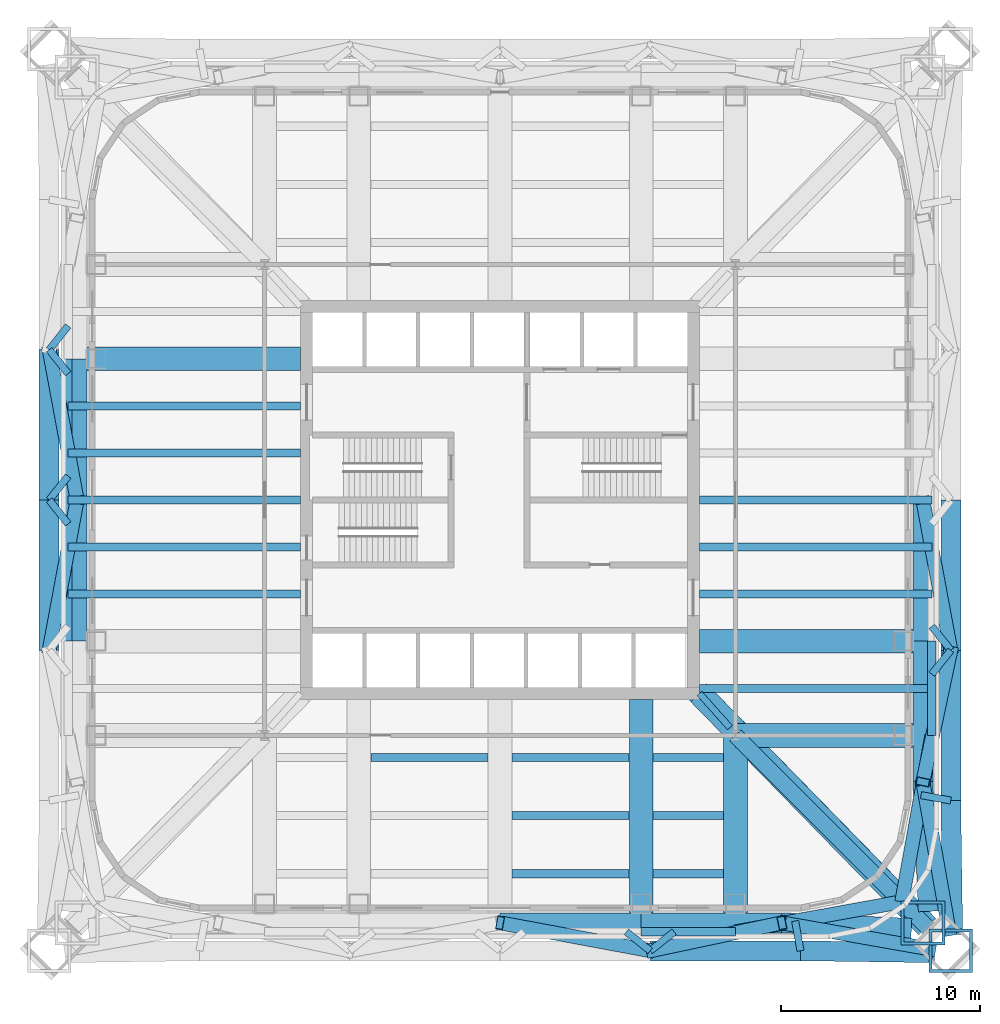
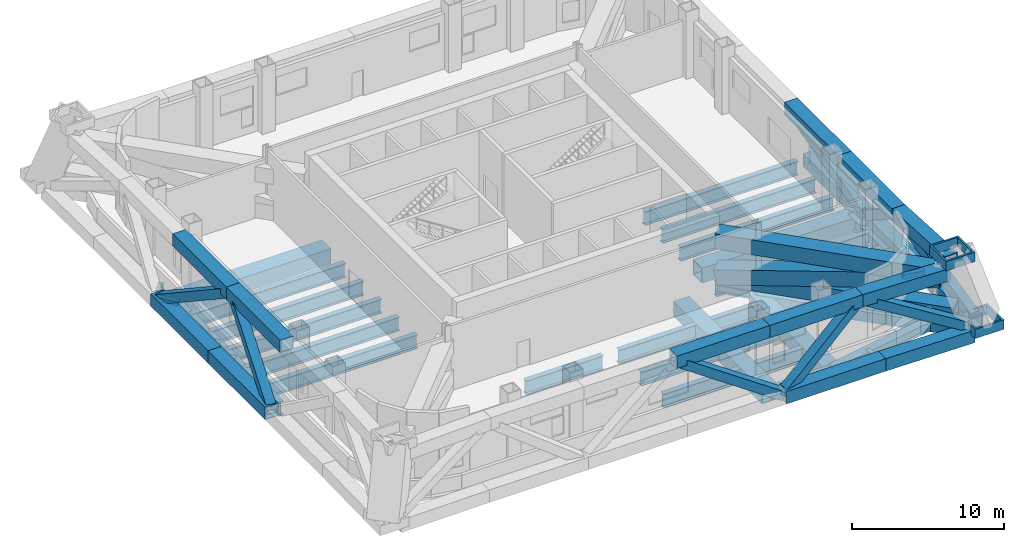
# One storey, part 2 of 9: 55 beams, 11 members.
"""IFC4 building model written with IfcOpenShell, lengths in metres."""

import ifcopenshell
import ifcopenshell.guid

model = None  # the IFC model being written
_history = None  # IfcOwnerHistory: only IFC2X3 demands one
_inside = {}  # id of a spatial element -> (the spatial element, [elements in it])
_under = {}  # id of a project, library or spatial element -> (it, [spatial elements below it])
_declared = {}  # id of a project -> (the project, [libraries it declares])
_typed = {}  # id of a type object -> (the type object, [elements of that type])
_made_of = {}  # id of a material, layer set ... -> (it, [elements and type objects made of it])


def new_model(schema):
    """Start an empty IFC model of exactly this schema.

    Asked for "IFC4X3", IfcOpenShell would pick the latest addendum, in which some entities
    have other attributes; the version numbers below select the first issue.
    IFC2X3 requires an IfcOwnerHistory on every rooted entity: one is made here for all.
    """
    global model, _history
    if schema == "IFC4X3":
        model = ifcopenshell.file(schema_version=(4, 3, 0, 0))
    else:
        model = ifcopenshell.file(schema=schema)
    _inside.clear()
    _under.clear()
    _declared.clear()
    _typed.clear()
    _made_of.clear()
    _history = None
    if model.schema == "IFC2X3":
        org = make("IfcOrganization", Name="unknown")
        user = make(
            "IfcPersonAndOrganization",
            ThePerson=make("IfcPerson", FamilyName="unknown"),
            TheOrganization=org,
        )
        app = make(
            "IfcApplication",
            ApplicationDeveloper=org,
            Version="unknown",
            ApplicationFullName="unknown",
            ApplicationIdentifier="unknown",
        )
        _history = make(
            "IfcOwnerHistory",
            OwningUser=user,
            OwningApplication=app,
            ChangeAction="ADDED",
            CreationDate=0,
        )
    return model


def make(cls, **values):
    """One entity of the class cls with the attributes given. An attribute that is None is left unset."""
    return model.create_entity(
        cls, **{name: value for name, value in values.items() if value is not None}
    )


def rooted(cls, **values):
    """An entity with a GlobalId (a new one), such as an element, a storey or a relation."""
    return make(cls, GlobalId=ifcopenshell.guid.new(), OwnerHistory=_history, **values)


def si_unit(unit_type, name, prefix=None):
    """IfcSIUnit, for example si_unit("LENGTHUNIT", "METRE", prefix="MILLI")."""
    return make("IfcSIUnit", UnitType=unit_type, Prefix=prefix, Name=name)


def assignment(units):
    """IfcUnitAssignment: the units of a project."""
    return None if units is None else make("IfcUnitAssignment", Units=units)


def point(xyz):
    """IfcCartesianPoint."""
    return None if xyz is None else make("IfcCartesianPoint", Coordinates=xyz)


def direction(xyz):
    """IfcDirection."""
    return None if xyz is None else make("IfcDirection", DirectionRatios=xyz)


def frame(location, z_axis=None, x_axis=None):
    """IfcAxis2Placement3D, a coordinate frame: its origin and axes. An axis left out is left unset."""
    return make(
        "IfcAxis2Placement3D",
        Location=point(location),
        Axis=direction(z_axis),
        RefDirection=direction(x_axis),
    )


def frame_2d(location, x_axis=None):
    """IfcAxis2Placement2D, a coordinate frame in the plane: its origin and x axis."""
    return make(
        "IfcAxis2Placement2D", Location=point(location), RefDirection=direction(x_axis)
    )


def origin():
    """The frame at (0, 0, 0) with its axes left unset."""
    return frame((0.0, 0.0, 0.0))


def origin_2d():
    """The frame at (0, 0) in the plane with its x axis left unset."""
    return frame_2d((0.0, 0.0))


def place(relative_to, where):
    """IfcLocalPlacement: puts the frame where relative to a parent placement (None: the world)."""
    return make(
        "IfcLocalPlacement", PlacementRelTo=relative_to, RelativePlacement=where
    )


def context(
    kind, dimensions, precision=None, world=None, true_north=None, identifier=None
):
    """IfcGeometricRepresentationContext, for example the 3D "Model" context."""
    return make(
        "IfcGeometricRepresentationContext",
        ContextIdentifier=identifier,
        ContextType=kind,
        CoordinateSpaceDimension=dimensions,
        Precision=precision,
        WorldCoordinateSystem=world,
        TrueNorth=true_north,
    )


def subcontext(parent, identifier, kind, view, scale=None):
    """IfcGeometricRepresentationSubContext, for example "Body" below "Model"."""
    return make(
        "IfcGeometricRepresentationSubContext",
        ContextIdentifier=identifier,
        ContextType=kind,
        ParentContext=parent,
        TargetScale=scale,
        TargetView=view,
    )


def project(units=None, contexts=None):
    """IfcProject with its units and contexts."""
    return rooted(
        "IfcProject",
        Name="project",
        RepresentationContexts=contexts,
        UnitsInContext=assignment(units),
    )


def spatial(cls, under=None, at=None, **own):
    """A site, building, storey or space (cls), placed at a placement, below another one or the project."""
    s = rooted(cls, ObjectPlacement=at, **own)
    if under is not None:
        _under.setdefault(under.id(), (under, []))[1].append(s)
    return s


def profile(cls, at=None, kind="AREA", **sizes):
    """A parametric profile (cls). Its sizes go by their IFC names, for example OverallWidth=200.0."""
    return make(cls, ProfileType=kind, Position=at, **sizes)


def hollow_rectangle(**sizes):
    """IfcRectangleHollowProfileDef."""
    return profile("IfcRectangleHollowProfileDef", **sizes)


def i_section(**sizes):
    """IfcIShapeProfileDef."""
    return profile("IfcIShapeProfileDef", **sizes)


def extrude(swept, where, along, depth):
    """IfcExtrudedAreaSolid: the profile swept, set in the frame where, extruded along a direction by depth."""
    return make(
        "IfcExtrudedAreaSolid",
        SweptArea=swept,
        Position=where,
        ExtrudedDirection=direction(along),
        Depth=depth,
    )


def shape(context_of_items, identifier, shape_type, items):
    """IfcShapeRepresentation: the items that make up one representation, for example the "Body"."""
    return make(
        "IfcShapeRepresentation",
        ContextOfItems=context_of_items,
        RepresentationIdentifier=identifier,
        RepresentationType=shape_type,
        Items=items,
    )


def material(Name=None, Category=None):
    """IfcMaterial."""
    return make("IfcMaterial", Name=Name, Category=Category)


def material_profile(
    of_material, cross_section, Name=None, Category=None, Priority=None
):
    """IfcMaterialProfile: a cross section and its material."""
    return make(
        "IfcMaterialProfile",
        Name=Name,
        Material=of_material,
        Profile=cross_section,
        Priority=Priority,
        Category=Category,
    )


def profile_set(profiles, Name=None, composite=None):
    """IfcMaterialProfileSet."""
    return make(
        "IfcMaterialProfileSet",
        Name=Name,
        MaterialProfiles=profiles,
        CompositeProfile=composite,
    )


def made_of(thing, what):
    """Note that an element or type object is made of a material, layer set ...; save() writes the relation."""
    if what is not None:
        _made_of.setdefault(what.id(), (what, []))[1].append(thing)
    return thing


def type_object(cls, material=None, **own):
    """A type object (cls), such as IfcWallType, which elements share."""
    return made_of(rooted(cls, **own), material)


def element(
    cls,
    number,
    at=None,
    inside=None,
    cuts=None,
    type_object=None,
    material=None,
    context=None,
    identifier="Body",
    shape_type=None,
    held_by="IfcProductDefinitionShape",
    body=None,
    shapes=None,
    **own,
):
    """One element of the class cls, such as IfcWall. Its Tag is "e" and its number.

    at: its placement. inside: the storey or other place that contains it. cuts: it is an
    opening in that element (IfcRelVoidsElement). A single representation is given by context,
    identifier, shape_type and body (its items); several are given by shapes. held_by: the class
    of the entity that holds the representations. save() writes the other relations.
    """
    e = rooted(cls, Tag="e%d" % number, ObjectPlacement=at, **own)
    if body is not None:
        shapes = [shape(context, identifier, shape_type, body)]
    if shapes is not None:
        e.Representation = make(held_by, Representations=shapes)
    if inside is not None:
        _inside.setdefault(inside.id(), (inside, []))[1].append(e)
    if cuts is not None:
        rooted(
            "IfcRelVoidsElement", RelatingBuildingElement=cuts, RelatedOpeningElement=e
        )
    if type_object is not None:
        _typed.setdefault(type_object.id(), (type_object, []))[1].append(e)
    return made_of(e, material)


def aggregate(whole, parts):
    """IfcRelAggregates: a whole, such as a stair, and the parts it consists of."""
    return rooted("IfcRelAggregates", RelatingObject=whole, RelatedObjects=parts)


def save(model, path):
    """Write the relations noted so far, then the file.

    IfcRelAggregates (storeys below a building ...), IfcRelContainedInSpatialStructure (elements
    in a storey), IfcRelDefinesByType, IfcRelAssociatesMaterial and IfcRelDeclares: one each for
    every whole, place, type object, material and project.
    """
    for whole, parts in _under.values():
        aggregate(whole, parts)
    for where, things in _inside.values():
        rooted(
            "IfcRelContainedInSpatialStructure",
            RelatedElements=things,
            RelatingStructure=where,
        )
    for kind, things in _typed.values():
        rooted("IfcRelDefinesByType", RelatedObjects=things, RelatingType=kind)
    for what, things in _made_of.values():
        rooted("IfcRelAssociatesMaterial", RelatedObjects=things, RelatingMaterial=what)
    for by, libraries in _declared.values():
        rooted("IfcRelDeclares", RelatingContext=by, RelatedDefinitions=libraries)
    model.write(path)


model = new_model("IFC4")

# Units and contexts
model_context = context("Model", 3, precision=1e-05, world=origin(), true_north=direction((0.0, 1.0)))
body_context = subcontext(model_context, "Body", "Model", "MODEL_VIEW")
ifc_project = project(units=[si_unit("LENGTHUNIT", "METRE"), si_unit("AREAUNIT", "SQUARE_METRE"), si_unit("VOLUMEUNIT", "CUBIC_METRE"), si_unit("PLANEANGLEUNIT", "RADIAN"), si_unit("MASSUNIT", "GRAM", prefix="KILO")], contexts=[model_context])

# Site, building, storey
site_placement = place(None, origin())
site = spatial("IfcSite", under=ifc_project, at=site_placement, CompositionType="ELEMENT")
building_placement = place(site_placement, origin())
building = spatial("IfcBuilding", under=site, at=building_placement, Name="Turquesa Mirador Hotel Tower", CompositionType="ELEMENT")
storey_placement = place(building_placement, frame((0.0, 0.0, 88.0)))
storey = spatial("IfcBuildingStorey", under=building, at=storey_placement, Name="L23", CompositionType="ELEMENT", Elevation=88.0)

# Beams
ifc_material_1 = material(Name="Steel ASTM A572 Grade 50", Category="steel")
ifc_material_profile_1 = material_profile(ifc_material_1, hollow_rectangle(XDim=1.199951171875, YDim=1.199951171875, WallThickness=0.06005859375, at=origin_2d()), Name="BOX1200X1200X60")
ifc_profile_set_1 = profile_set([ifc_material_profile_1], Name="Steel ASTM A572 Grade 50")
beam_type_1 = type_object("IfcBeamType", Name="BEAM BOX1200X1200X60", PredefinedType="BEAM", material=ifc_profile_set_1)
beam_1_placement = place(storey_placement, frame((62.080078125, 23.35009765625, -0.85009765625), z_axis=(0.0, 1.0, 0.0), x_axis=(-1.0, 0.0, 0.0)))
element("IfcBeam", 1, at=beam_1_placement, inside=storey, type_object=beam_type_1, Name="GD-L23-S-+7.08", PredefinedType="BEAM", context=body_context, shape_type="SweptSolid", body=[
    extrude(hollow_rectangle(XDim=1.199951171875, YDim=1.199951171875, WallThickness=0.06005859375, at=origin_2d()), origin(), (0.0, 0.0, 1.0), 11.64990234375),
])
beam_2_placement = place(storey_placement, frame((66.800048828125, 23.35009765625, -0.85009765625), z_axis=(0.0, 1.0, 0.0), x_axis=(-1.0, 0.0, 0.0)))
element("IfcBeam", 2, at=beam_2_placement, inside=storey, type_object=beam_type_1, Name="GK-L23-S-+11.80", PredefinedType="BEAM", context=body_context, shape_type="SweptSolid", body=[
    extrude(hollow_rectangle(XDim=1.199951171875, YDim=1.199951171875, WallThickness=0.06005859375, at=origin_2d()), origin(), (0.0, 0.0, 1.0), 9.849853515625),
])
beam_3_placement = place(storey_placement, frame((76.64990234375, 37.919921875, -0.85009765625), z_axis=(-1.0, 0.0, 0.0), x_axis=(0.0, -1.0, 0.0)))
element("IfcBeam", 3, at=beam_3_placement, inside=storey, type_object=beam_type_1, Name="GD-L23-E--7.08", PredefinedType="BEAM", context=body_context, shape_type="SweptSolid", body=[
    extrude(hollow_rectangle(XDim=1.199951171875, YDim=1.199951171875, WallThickness=0.06005859375, at=origin_2d()), origin(), (0.0, 0.0, 1.0), 11.64990234375),
])
beam_4_placement = place(storey_placement, frame((76.64990234375, 33.199951171875, -0.85009765625), z_axis=(-1.0, 0.0, 0.0), x_axis=(0.0, -1.0, 0.0)))
element("IfcBeam", 4, at=beam_4_placement, inside=storey, type_object=beam_type_1, Name="GK-L23-E--11.80", PredefinedType="BEAM", context=body_context, shape_type="SweptSolid", body=[
    extrude(hollow_rectangle(XDim=1.199951171875, YDim=1.199951171875, WallThickness=0.06005859375, at=origin_2d()), origin(), (0.0, 0.0, 1.0), 9.849853515625),
])
beam_5_placement = place(storey_placement, frame((33.35009765625, 52.080078125, -0.85009765625), z_axis=(1.0, 0.0, 0.0), x_axis=(0.0, 1.0, 0.0)))
element("IfcBeam", 5, at=beam_5_placement, inside=storey, type_object=beam_type_1, Name="GD-L23-W-+7.08", PredefinedType="BEAM", context=body_context, shape_type="SweptSolid", body=[
    extrude(hollow_rectangle(XDim=1.199951171875, YDim=1.199951171875, WallThickness=0.06005859375, at=origin_2d()), origin(), (0.0, 0.0, 1.0), 11.64990234375),
])
ifc_material_2 = material(Name="Steel ASTM A572 Grade 50", Category="steel")
ifc_material_profile_2 = material_profile(ifc_material_2, hollow_rectangle(XDim=0.699951171875, YDim=0.699951171875, WallThickness=0.044921875, at=origin_2d()), Name="BOX700X700X45")
ifc_profile_set_2 = profile_set([ifc_material_profile_2], Name="Steel ASTM A572 Grade 50")
beam_type_2 = type_object("IfcBeamType", Name="BEAM BOX700X700X45", PredefinedType="BEAM", material=ifc_profile_set_2)
for number, where, z_axis, x_axis, name in (
    (6, (76.64990234375, 33.199951171875, -0.60009765625), (-0.177932387818, -0.984042715214, 0.0), (0.984042715214, -0.177932387818, 0.0), "KE-L23-4-0"),
    (7, (75.1416015625, 24.8583984375, -0.60009765625), (-0.984042715214, -0.177932387818, 0.0), (0.177932387818, -0.984042715214, 0.0), "KE-L23-4-1"),
):
    element("IfcBeam", number, at=place(storey_placement, frame(where, z_axis=z_axis, x_axis=x_axis)), inside=storey, type_object=beam_type_2, Name=name, PredefinedType="BEAM", context=body_context, shape_type="SweptSolid", body=[
        extrude(hollow_rectangle(XDim=0.699951171875, YDim=0.699951171875, WallThickness=0.044921875, at=origin_2d()), origin(), (0.0, 0.0, 1.0), 8.476806640625),
    ])
ifc_material_3 = material(Name="Steel ASTM A572 Grade 50", Category="steel")
ifc_material_profile_3 = material_profile(ifc_material_3, hollow_rectangle(XDim=0.800048828125, YDim=0.800048828125, WallThickness=0.050048828125, at=origin_2d()), Name="BOX800X800X50")
ifc_profile_set_3 = profile_set([ifc_material_profile_3], Name="Steel ASTM A572 Grade 50")
beam_type_3 = type_object("IfcBeamType", Name="BEAM BOX800X800X50", PredefinedType="BEAM", material=ifc_profile_set_3)
beam_6_placement = place(storey_placement, frame((66.800048828125, 33.199951171875, -0.64990234375), z_axis=(0.707106781187, -0.707106781187, 0.0), x_axis=(0.707106781187, 0.707106781187, 0.0)))
element("IfcBeam", 8, at=beam_6_placement, inside=storey, type_object=beam_type_3, Name="KD-L23-4", PredefinedType="BEAM", context=body_context, shape_type="SweptSolid", body=[
    extrude(hollow_rectangle(XDim=0.800048828125, YDim=0.800048828125, WallThickness=0.050048828125, at=origin_2d()), origin(), (0.0, 0.0, 1.0), 13.78857421875),
])
ifc_material_4 = material(Name="Steel ASTM A992 Grade 50", Category="steel")
ifc_material_profile_4 = material_profile(ifc_material_4, i_section(OverallWidth=0.3251953125, OverallDepth=0.612060546875, WebThickness=0.0126953125, FlangeThickness=0.01904296875, at=origin_2d()), Name="W24X104")
ifc_profile_set_4 = profile_set([ifc_material_profile_4], Name="Steel ASTM A992 Grade 50")
beam_type_4 = type_object("IfcBeamType", Name="BEAM W24X104", PredefinedType="BEAM", material=ifc_profile_set_4)
beam_7_placement = place(storey_placement, frame((66.529541015625, 33.59033203125, -0.55615234375), z_axis=(-0.666745084392, 0.745285846129, 0.0), x_axis=(-0.745285846129, -0.666745084392, 0.0)))
element("IfcBeam", 9, at=beam_7_placement, inside=storey, type_object=beam_type_4, Name="KT-L23-4", PredefinedType="BEAM", context=body_context, shape_type="SweptSolid", body=[
    extrude(i_section(OverallWidth=0.3251953125, OverallDepth=0.612060546875, WebThickness=0.0126953125, FlangeThickness=0.01904296875, at=origin_2d()), origin(), (0.0, 0.0, 1.0), 2.2939453125),
])
ifc_material_5 = material(Name="Steel ASTM A992 Grade 50", Category="steel")
ifc_material_profile_5 = material_profile(ifc_material_5, i_section(OverallWidth=0.419189453125, OverallDepth=0.927001953125, WebThickness=0.019287109375, FlangeThickness=0.031982421875, at=origin_2d()), Name="W36X231")
ifc_profile_set_5 = profile_set([ifc_material_profile_5], Name="Steel ASTM A992 Grade 50")
beam_type_5 = type_object("IfcBeamType", Name="BEAM W36X231", PredefinedType="BEAM", material=ifc_profile_set_5)
for number, where, z_axis, x_axis, name in (
    (10, (62.080078125, 23.35009765625, -0.713623046875), (1.0, 0.0, 0.0), (0.0, 1.0, 0.0), "EB-L23-S-R"),
    (11, (76.64990234375, 33.199951171875, -0.713623046875), (0.0, 1.0, 0.0), (-1.0, 0.0, 0.0), "EB-L23-E-L"),
):
    element("IfcBeam", number, at=place(storey_placement, frame(where, z_axis=z_axis, x_axis=x_axis)), inside=storey, type_object=beam_type_5, Name=name, PredefinedType="BEAM", context=body_context, shape_type="SweptSolid", body=[
        extrude(i_section(OverallWidth=0.419189453125, OverallDepth=0.927001953125, WebThickness=0.019287109375, FlangeThickness=0.031982421875, at=origin_2d()), origin(), (0.0, 0.0, 1.0), 4.719970703125),
    ])
ifc_material_6 = material(Name="Steel ASTM A992 Grade 50", Category="steel")
ifc_material_profile_6 = material_profile(ifc_material_6, i_section(OverallWidth=0.40380859375, OverallDepth=1.11767578125, WebThickness=0.026123046875, FlangeThickness=0.044921875, at=origin_2d()), Name="W44X335")
ifc_profile_set_6 = profile_set([ifc_material_profile_6], Name="Steel ASTM A992 Grade 50")
beam_type_6 = type_object("IfcBeamType", Name="BEAM W44X335", PredefinedType="BEAM", material=ifc_profile_set_6)
for number, where, z_axis, x_axis, name in (
    (12, (48.52001953125, 32.087890625, -0.808837890625), (1.0, 0.0, 0.0), (0.0, 1.0, 0.0), "IB-L23-S-1-1"),
    (13, (55.60009765625, 32.087890625, -0.808837890625), (1.0, 0.0, 0.0), (0.0, 1.0, 0.0), "IB-L23-S-1-2"),
):
    element("IfcBeam", number, at=place(storey_placement, frame(where, z_axis=z_axis, x_axis=x_axis)), inside=storey, type_object=beam_type_6, Name=name, PredefinedType="BEAM", context=body_context, shape_type="SweptSolid", body=[
        extrude(i_section(OverallWidth=0.40380859375, OverallDepth=1.11767578125, WebThickness=0.026123046875, FlangeThickness=0.044921875, at=origin_2d()), origin(), (0.0, 0.0, 1.0), 5.8798828125),
    ])
beam_8_placement = place(storey_placement, frame((62.679931640625, 32.087890625, -0.808837890625), z_axis=(1.0, 0.0, 0.0), x_axis=(0.0, 1.0, 0.0)))
element("IfcBeam", 14, at=beam_8_placement, inside=storey, type_object=beam_type_6, Name="IB-L23-S-1-3", PredefinedType="BEAM", context=body_context, shape_type="SweptSolid", body=[
    extrude(i_section(OverallWidth=0.40380859375, OverallDepth=1.11767578125, WebThickness=0.026123046875, FlangeThickness=0.044921875, at=origin_2d()), origin(), (0.0, 0.0, 1.0), 3.52001953125),
])
beam_9_placement = place(storey_placement, frame((55.60009765625, 29.175048828125, -0.808837890625), z_axis=(1.0, 0.0, 0.0), x_axis=(0.0, 1.0, 0.0)))
element("IfcBeam", 15, at=beam_9_placement, inside=storey, type_object=beam_type_6, Name="IB-L23-S-2-2", PredefinedType="BEAM", context=body_context, shape_type="SweptSolid", body=[
    extrude(i_section(OverallWidth=0.40380859375, OverallDepth=1.11767578125, WebThickness=0.026123046875, FlangeThickness=0.044921875, at=origin_2d()), origin(), (0.0, 0.0, 1.0), 5.8798828125),
])
beam_10_placement = place(storey_placement, frame((62.679931640625, 29.175048828125, -0.808837890625), z_axis=(1.0, 0.0, 0.0), x_axis=(0.0, 1.0, 0.0)))
element("IfcBeam", 16, at=beam_10_placement, inside=storey, type_object=beam_type_6, Name="IB-L23-S-2-3", PredefinedType="BEAM", context=body_context, shape_type="SweptSolid", body=[
    extrude(i_section(OverallWidth=0.40380859375, OverallDepth=1.11767578125, WebThickness=0.026123046875, FlangeThickness=0.044921875, at=origin_2d()), origin(), (0.0, 0.0, 1.0), 3.52001953125),
])
beam_11_placement = place(storey_placement, frame((55.60009765625, 26.262939453125, -0.808837890625), z_axis=(1.0, 0.0, 0.0), x_axis=(0.0, 1.0, 0.0)))
element("IfcBeam", 17, at=beam_11_placement, inside=storey, type_object=beam_type_6, Name="IB-L23-S-3-2", PredefinedType="BEAM", context=body_context, shape_type="SweptSolid", body=[
    extrude(i_section(OverallWidth=0.40380859375, OverallDepth=1.11767578125, WebThickness=0.026123046875, FlangeThickness=0.044921875, at=origin_2d()), origin(), (0.0, 0.0, 1.0), 5.8798828125),
])
beam_12_placement = place(storey_placement, frame((62.679931640625, 26.262939453125, -0.808837890625), z_axis=(1.0, 0.0, 0.0), x_axis=(0.0, 1.0, 0.0)))
element("IfcBeam", 18, at=beam_12_placement, inside=storey, type_object=beam_type_6, Name="IB-L23-S-3-3", PredefinedType="BEAM", context=body_context, shape_type="SweptSolid", body=[
    extrude(i_section(OverallWidth=0.40380859375, OverallDepth=1.11767578125, WebThickness=0.026123046875, FlangeThickness=0.044921875, at=origin_2d()), origin(), (0.0, 0.0, 1.0), 3.52001953125),
])
for number, where, z_axis, x_axis, name in (
    (19, (76.64990234375, 35.56005859375, -0.808837890625), (-1.0, 0.0, 0.0), (0.0, -1.0, 0.0), "BM-L23-E--9.44"),
    (20, (76.64990234375, 40.280029296875, -0.808837890625), (-1.0, 0.0, 0.0), (0.0, -1.0, 0.0), "BM-L23-E--4.72"),
    (21, (76.64990234375, 42.639892578125, -0.808837890625), (-1.0, 0.0, 0.0), (0.0, -1.0, 0.0), "BM-L23-E--2.36"),
    (22, (76.64990234375, 45.0, -0.808837890625), (-1.0, 0.0, 0.0), (0.0, -1.0, 0.0), "BM-L23-E-+0.00"),
    (23, (33.35009765625, 40.280029296875, -0.808837890625), (1.0, 0.0, 0.0), (0.0, 1.0, 0.0), "BM-L23-W--4.72"),
    (24, (33.35009765625, 42.639892578125, -0.808837890625), (1.0, 0.0, 0.0), (0.0, 1.0, 0.0), "BM-L23-W--2.36"),
    (25, (33.35009765625, 45.0, -0.808837890625), (1.0, 0.0, 0.0), (0.0, 1.0, 0.0), "BM-L23-W-+0.00"),
    (26, (33.35009765625, 47.360107421875, -0.808837890625), (1.0, 0.0, 0.0), (0.0, 1.0, 0.0), "BM-L23-W-+2.36"),
    (27, (33.35009765625, 49.719970703125, -0.808837890625), (1.0, 0.0, 0.0), (0.0, 1.0, 0.0), "BM-L23-W-+4.72"),
):
    element("IfcBeam", number, at=place(storey_placement, frame(where, z_axis=z_axis, x_axis=x_axis)), inside=storey, type_object=beam_type_6, Name=name, PredefinedType="BEAM", context=body_context, shape_type="SweptSolid", body=[
        extrude(i_section(OverallWidth=0.40380859375, OverallDepth=1.11767578125, WebThickness=0.026123046875, FlangeThickness=0.044921875, at=origin_2d()), origin(), (0.0, 0.0, 1.0), 11.64990234375),
    ])
beam_13_placement = place(storey_placement, frame((33.35009765625, 37.919921875, -0.808837890625), z_axis=(0.0, 1.0, 0.0), x_axis=(-1.0, 0.0, 0.0)))
element("IfcBeam", 28, at=beam_13_placement, inside=storey, type_object=beam_type_6, Name="EB-L23-W-C", PredefinedType="BEAM", context=body_context, shape_type="SweptSolid", body=[
    extrude(i_section(OverallWidth=0.40380859375, OverallDepth=1.11767578125, WebThickness=0.026123046875, FlangeThickness=0.044921875, at=origin_2d()), origin(), (0.0, 0.0, 1.0), 14.16015625),
])
ifc_material_7 = material(Name="Steel ASTM A572 Grade 50", Category="steel")
ifc_material_profile_7 = material_profile(ifc_material_7, hollow_rectangle(XDim=1.0, YDim=1.0, WallThickness=0.06005859375, at=origin_2d()), Name="BOX1000X1000X60")
ifc_profile_set_7 = profile_set([ifc_material_profile_7], Name="Steel ASTM A572 Grade 50")
beam_type_7 = type_object("IfcBeamType", Name="BELT TRUSS CHORD BOX1000X1000X60", PredefinedType="BEAM", material=ifc_profile_set_7)
beam_14_placement = place(storey_placement, frame((55.0, 23.800048828125, 4.199951171875), z_axis=(1.0, 0.0, 0.0), x_axis=(0.0, 1.0, 0.0)))
element("IfcBeam", 29, at=beam_14_placement, inside=storey, type_object=beam_type_7, Name="Belt truss top chord S", PredefinedType="BEAM", context=body_context, shape_type="SweptSolid", body=[
    extrude(hollow_rectangle(XDim=1.0, YDim=1.0, WallThickness=0.06005859375, at=origin_2d()), origin(), (0.0, 0.0, 1.0), 7.066650390625),
])
beam_15_placement = place(storey_placement, frame((62.533447265625, 22.39990234375, -0.427734375), z_axis=(1.0, 0.0, 0.0), x_axis=(0.0, 1.0, 0.0)))
element("IfcBeam", 30, at=beam_15_placement, inside=storey, type_object=beam_type_7, Name="Belt truss bottom chord S", PredefinedType="BEAM", context=body_context, shape_type="SweptSolid", body=[
    extrude(hollow_rectangle(XDim=1.0, YDim=1.0, WallThickness=0.06005859375, at=origin_2d()), origin(), (0.0, 0.0, 1.0), 7.533203125),
])
beam_16_placement = place(storey_placement, frame((62.066650390625, 23.800048828125, 4.199951171875), z_axis=(1.0, 0.0, 0.0), x_axis=(0.0, 1.0, 0.0)))
element("IfcBeam", 31, at=beam_16_placement, inside=storey, type_object=beam_type_7, Name="Belt truss top chord S", PredefinedType="BEAM", context=body_context, shape_type="SweptSolid", body=[
    extrude(hollow_rectangle(XDim=1.0, YDim=1.0, WallThickness=0.06005859375, at=origin_2d()), origin(), (0.0, 0.0, 1.0), 7.066650390625),
])
beam_17_placement = place(storey_placement, frame((70.066650390625, 22.39990234375, -0.427734375), z_axis=(0.999895171784, -0.014479138185, 0.0), x_axis=(0.014479138185, 0.999895171784, 0.0)))
element("IfcBeam", 32, at=beam_17_placement, inside=storey, type_object=beam_type_7, Name="Belt truss bottom chord S", PredefinedType="BEAM", context=body_context, shape_type="SweptSolid", body=[
    extrude(hollow_rectangle(XDim=1.0, YDim=1.0, WallThickness=0.06005859375, at=origin_2d()), origin(), (0.0, 0.0, 1.0), 6.727783203125),
])
beam_18_placement = place(storey_placement, frame((69.13330078125, 23.800048828125, 4.199951171875), z_axis=(0.999111122938, -0.042154051064, 0.0), x_axis=(0.042154051064, 0.999111122938, 0.0)))
element("IfcBeam", 33, at=beam_18_placement, inside=storey, type_object=beam_type_7, Name="Belt truss top chord S", PredefinedType="BEAM", context=body_context, shape_type="SweptSolid", body=[
    extrude(hollow_rectangle(XDim=1.0, YDim=1.0, WallThickness=0.06005859375, at=origin_2d()), origin(), (0.0, 0.0, 1.0), 6.498291015625),
])
beam_19_placement = place(storey_placement, frame((77.697509765625, 23.206298828125, -0.427734375), z_axis=(-0.014479138185, 0.999895171784, 0.0), x_axis=(-0.999895171784, -0.014479138185, 0.0)))
element("IfcBeam", 34, at=beam_19_placement, inside=storey, type_object=beam_type_7, Name="Belt truss bottom chord E", PredefinedType="BEAM", context=body_context, shape_type="SweptSolid", body=[
    extrude(hollow_rectangle(XDim=1.0, YDim=1.0, WallThickness=0.06005859375, at=origin_2d()), origin(), (0.0, 0.0, 1.0), 6.727783203125),
])
beam_20_placement = place(storey_placement, frame((76.473876953125, 24.374267578125, 4.199951171875), z_axis=(-0.042154051064, 0.999111122938, 0.0), x_axis=(-0.999111122938, -0.042154051064, 0.0)))
element("IfcBeam", 35, at=beam_20_placement, inside=storey, type_object=beam_type_7, Name="Belt truss top chord E", PredefinedType="BEAM", context=body_context, shape_type="SweptSolid", body=[
    extrude(hollow_rectangle(XDim=1.0, YDim=1.0, WallThickness=0.06005859375, at=origin_2d()), origin(), (0.0, 0.0, 1.0), 6.498291015625),
])
beam_21_placement = place(storey_placement, frame((77.60009765625, 29.933349609375, -0.427734375), z_axis=(0.0, 1.0, 0.0), x_axis=(-1.0, 0.0, 0.0)))
element("IfcBeam", 36, at=beam_21_placement, inside=storey, type_object=beam_type_7, Name="Belt truss bottom chord E", PredefinedType="BEAM", context=body_context, shape_type="SweptSolid", body=[
    extrude(hollow_rectangle(XDim=1.0, YDim=1.0, WallThickness=0.06005859375, at=origin_2d()), origin(), (0.0, 0.0, 1.0), 7.533203125),
])
beam_22_placement = place(storey_placement, frame((76.199951171875, 30.86669921875, 4.199951171875), z_axis=(0.0, 1.0, 0.0), x_axis=(-1.0, 0.0, 0.0)))
element("IfcBeam", 37, at=beam_22_placement, inside=storey, type_object=beam_type_7, Name="Belt truss top chord E", PredefinedType="BEAM", context=body_context, shape_type="SweptSolid", body=[
    extrude(hollow_rectangle(XDim=1.0, YDim=1.0, WallThickness=0.06005859375, at=origin_2d()), origin(), (0.0, 0.0, 1.0), 7.066650390625),
])
beam_23_placement = place(storey_placement, frame((77.60009765625, 37.466552734375, -0.427734375), z_axis=(0.0, 1.0, 0.0), x_axis=(-1.0, 0.0, 0.0)))
element("IfcBeam", 38, at=beam_23_placement, inside=storey, type_object=beam_type_7, Name="Belt truss bottom chord E", PredefinedType="BEAM", context=body_context, shape_type="SweptSolid", body=[
    extrude(hollow_rectangle(XDim=1.0, YDim=1.0, WallThickness=0.06005859375, at=origin_2d()), origin(), (0.0, 0.0, 1.0), 7.533447265625),
])
beam_24_placement = place(storey_placement, frame((76.199951171875, 37.933349609375, 4.199951171875), z_axis=(0.0, 1.0, 0.0), x_axis=(-1.0, 0.0, 0.0)))
element("IfcBeam", 39, at=beam_24_placement, inside=storey, type_object=beam_type_7, Name="Belt truss top chord E", PredefinedType="BEAM", context=body_context, shape_type="SweptSolid", body=[
    extrude(hollow_rectangle(XDim=1.0, YDim=1.0, WallThickness=0.06005859375, at=origin_2d()), origin(), (0.0, 0.0, 1.0), 7.066650390625),
])
beam_25_placement = place(storey_placement, frame((32.39990234375, 37.466552734375, -0.427734375), z_axis=(0.0, 1.0, 0.0), x_axis=(-1.0, 0.0, 0.0)))
element("IfcBeam", 40, at=beam_25_placement, inside=storey, type_object=beam_type_7, Name="Belt truss bottom chord W", PredefinedType="BEAM", context=body_context, shape_type="SweptSolid", body=[
    extrude(hollow_rectangle(XDim=1.0, YDim=1.0, WallThickness=0.06005859375, at=origin_2d()), origin(), (0.0, 0.0, 1.0), 7.533447265625),
])
beam_26_placement = place(storey_placement, frame((33.800048828125, 37.933349609375, 4.199951171875), z_axis=(0.0, 1.0, 0.0), x_axis=(-1.0, 0.0, 0.0)))
element("IfcBeam", 41, at=beam_26_placement, inside=storey, type_object=beam_type_7, Name="Belt truss top chord W", PredefinedType="BEAM", context=body_context, shape_type="SweptSolid", body=[
    extrude(hollow_rectangle(XDim=1.0, YDim=1.0, WallThickness=0.06005859375, at=origin_2d()), origin(), (0.0, 0.0, 1.0), 7.066650390625),
])
beam_27_placement = place(storey_placement, frame((32.39990234375, 45.0, -0.427734375), z_axis=(0.0, 1.0, 0.0), x_axis=(-1.0, 0.0, 0.0)))
element("IfcBeam", 42, at=beam_27_placement, inside=storey, type_object=beam_type_7, Name="Belt truss bottom chord W", PredefinedType="BEAM", context=body_context, shape_type="SweptSolid", body=[
    extrude(hollow_rectangle(XDim=1.0, YDim=1.0, WallThickness=0.06005859375, at=origin_2d()), origin(), (0.0, 0.0, 1.0), 7.533447265625),
])
beam_28_placement = place(storey_placement, frame((33.800048828125, 45.0, 4.199951171875), z_axis=(0.0, 1.0, 0.0), x_axis=(-1.0, 0.0, 0.0)))
element("IfcBeam", 43, at=beam_28_placement, inside=storey, type_object=beam_type_7, Name="Belt truss top chord W", PredefinedType="BEAM", context=body_context, shape_type="SweptSolid", body=[
    extrude(hollow_rectangle(XDim=1.0, YDim=1.0, WallThickness=0.06005859375, at=origin_2d()), origin(), (0.0, 0.0, 1.0), 7.066650390625),
])

# Members
ifc_material_8 = material(Name="Steel ASTM A572 Grade 50", Category="steel")
ifc_material_profile_8 = material_profile(ifc_material_8, hollow_rectangle(XDim=0.699951171875, YDim=0.699951171875, WallThickness=0.044921875, at=origin_2d()), Name="BOX700X700X45")
ifc_profile_set_8 = profile_set([ifc_material_profile_8], Name="Steel ASTM A572 Grade 50")
member_type_1 = type_object("IfcMemberType", Name="BELT TRUSS DIAGONAL BOX700X700X45", PredefinedType="BRACE", material=ifc_profile_set_8)
member_1_placement = place(storey_placement, frame((55.0, 23.800048828125, 4.199951171875), z_axis=(0.841588269094, -0.156415358695, -0.516975261389), x_axis=(0.182728150566, 0.983163477246, 0.0)))
element("IfcMember", 44, at=member_1_placement, inside=storey, type_object=member_type_1, Name="Belt truss diagonal S", PredefinedType="BRACE", context=body_context, shape_type="SweptSolid", body=[
    extrude(hollow_rectangle(XDim=0.699951171875, YDim=0.699951171875, WallThickness=0.044921875, at=origin_2d()), origin(), (0.0, 0.0, 1.0), 8.951416015625),
])
member_2_placement = place(storey_placement, frame((62.533447265625, 22.39990234375, -0.427734375), z_axis=(0.806698164077, 0.171139495098, 0.565640650319), x_axis=(-0.207529392542, 0.978228782664, 0.0)))
element("IfcMember", 45, at=member_2_placement, inside=storey, type_object=member_type_1, Name="Belt truss diagonal S", PredefinedType="BRACE", context=body_context, shape_type="SweptSolid", body=[
    extrude(hollow_rectangle(XDim=0.699951171875, YDim=0.699951171875, WallThickness=0.044921875, at=origin_2d()), origin(), (0.0, 0.0, 1.0), 8.181396484375),
])
for number, where, z_axis, x_axis, name in (
    (46, (69.13330078125, 23.800048828125, 4.199951171875), (0.869692632776, -0.153190571127, -0.469219962719), (0.17347277854, 0.984838664506, 0.0), "Belt truss diagonal S"),
    (47, (77.529541015625, 23.318359375, 0.12744140625), (-0.153190571127, 0.869692632776, 0.469219962719), (-0.984838664506, -0.17347277854, 0.0), "Belt truss diagonal E"),
):
    element("IfcMember", number, at=place(storey_placement, frame(where, z_axis=z_axis, x_axis=x_axis)), inside=storey, type_object=member_type_1, Name=name, PredefinedType="BRACE", context=body_context, shape_type="SweptSolid", body=[
        extrude(hollow_rectangle(XDim=0.699951171875, YDim=0.699951171875, WallThickness=0.044921875, at=origin_2d()), origin(), (0.0, 0.0, 1.0), 8.67919921875),
    ])
member_3_placement = place(storey_placement, frame((76.199951171875, 30.86669921875, 4.199951171875), z_axis=(0.171139495098, 0.806698164077, -0.565640650319), x_axis=(-0.978228782664, 0.207529392542, 0.0)))
element("IfcMember", 48, at=member_3_placement, inside=storey, type_object=member_type_1, Name="Belt truss diagonal E", PredefinedType="BRACE", context=body_context, shape_type="SweptSolid", body=[
    extrude(hollow_rectangle(XDim=0.699951171875, YDim=0.699951171875, WallThickness=0.044921875, at=origin_2d()), origin(), (0.0, 0.0, 1.0), 8.181396484375),
])
for number, where, z_axis, x_axis, name in (
    (49, (77.60009765625, 37.466552734375, -0.427734375), (-0.156415358695, 0.841588269094, 0.516975261389), (-0.983163477246, -0.182728150566, 0.0), "Belt truss diagonal E"),
    (50, (32.39990234375, 37.466552734375, -0.427734375), (0.156415358695, 0.841588269094, 0.516975261389), (-0.983163477246, 0.182728150566, 0.0), "Belt truss diagonal W"),
    (51, (33.800048828125, 45.0, 4.199951171875), (-0.156415358695, 0.841588269094, -0.516975261389), (-0.983163477246, -0.182728150566, 0.0), "Belt truss diagonal W"),
):
    element("IfcMember", number, at=place(storey_placement, frame(where, z_axis=z_axis, x_axis=x_axis)), inside=storey, type_object=member_type_1, Name=name, PredefinedType="BRACE", context=body_context, shape_type="SweptSolid", body=[
        extrude(hollow_rectangle(XDim=0.699951171875, YDim=0.699951171875, WallThickness=0.044921875, at=origin_2d()), origin(), (0.0, 0.0, 1.0), 8.951416015625),
    ])

# Beams
ifc_material_9 = material(Name="Steel ASTM A500 Grade C", Category="steel")
ifc_material_profile_9 = material_profile(ifc_material_9, hollow_rectangle(XDim=0.355712890625, YDim=0.355712890625, WallThickness=0.0146484375, at=origin_2d()), Name="HSS14X14X5/8")
ifc_profile_set_9 = profile_set([ifc_material_profile_9], Name="Steel ASTM A500 Grade C")
beam_type_8 = type_object("IfcBeamType", Name="BRACE STRUT HSS14X14X5/8", PredefinedType="BEAM", material=ifc_profile_set_9)
beam_29_placement = place(storey_placement, frame((62.533447265625, 22.39990234375, -0.427734375), z_axis=(-0.784032888399, 0.620719284306, 0.0), x_axis=(-0.620719284306, -0.784032888399, 0.0)))
element("IfcBeam", 52, at=beam_29_placement, inside=storey, type_object=beam_type_8, Name="Brace strut", PredefinedType="BEAM", context=body_context, shape_type="SweptSolid", body=[
    extrude(hollow_rectangle(XDim=0.355712890625, YDim=0.355712890625, WallThickness=0.0146484375, at=origin_2d()), origin(), (0.0, 0.0, 1.0), 1.53076171875),
])
beam_30_placement = place(storey_placement, frame((62.533447265625, 22.39990234375, -0.427734375), z_axis=(0.783971428146, 0.620796907089, 0.0), x_axis=(-0.620796907089, 0.783971428146, 0.0)))
element("IfcBeam", 53, at=beam_30_placement, inside=storey, type_object=beam_type_8, Name="Brace strut", PredefinedType="BEAM", context=body_context, shape_type="SweptSolid", body=[
    extrude(hollow_rectangle(XDim=0.355712890625, YDim=0.355712890625, WallThickness=0.0146484375, at=origin_2d()), origin(), (0.0, 0.0, 1.0), 1.530517578125),
])
for number, where, z_axis, x_axis, name in (
    (54, (70.066650390625, 22.39990234375, -0.427734375), (-0.177935933856, 0.984042074021, 0.0), (-0.984042074021, -0.177935933856, 0.0), "Brace strut"),
    (55, (77.60009765625, 29.933349609375, -0.427734375), (-0.984042074021, 0.177935933856, 0.0), (-0.177935933856, -0.984042074021, 0.0), "Brace strut"),
):
    element("IfcBeam", number, at=place(storey_placement, frame(where, z_axis=z_axis, x_axis=x_axis)), inside=storey, type_object=beam_type_8, Name=name, PredefinedType="BEAM", context=body_context, shape_type="SweptSolid", body=[
        extrude(hollow_rectangle(XDim=0.355712890625, YDim=0.355712890625, WallThickness=0.0146484375, at=origin_2d()), origin(), (0.0, 0.0, 1.0), 1.51611328125),
    ])
beam_31_placement = place(storey_placement, frame((77.60009765625, 37.466552734375, -0.427734375), z_axis=(-0.620796907089, -0.783971428146, 0.0), x_axis=(0.783971428146, -0.620796907089, 0.0)))
element("IfcBeam", 56, at=beam_31_placement, inside=storey, type_object=beam_type_8, Name="Brace strut", PredefinedType="BEAM", context=body_context, shape_type="SweptSolid", body=[
    extrude(hollow_rectangle(XDim=0.355712890625, YDim=0.355712890625, WallThickness=0.0146484375, at=origin_2d()), origin(), (0.0, 0.0, 1.0), 1.530517578125),
])
beam_32_placement = place(storey_placement, frame((77.60009765625, 37.466552734375, -0.427734375), z_axis=(-0.620719284306, 0.784032888399, 0.0), x_axis=(-0.784032888399, -0.620719284306, 0.0)))
element("IfcBeam", 57, at=beam_32_placement, inside=storey, type_object=beam_type_8, Name="Brace strut", PredefinedType="BEAM", context=body_context, shape_type="SweptSolid", body=[
    extrude(hollow_rectangle(XDim=0.355712890625, YDim=0.355712890625, WallThickness=0.0146484375, at=origin_2d()), origin(), (0.0, 0.0, 1.0), 1.53076171875),
])
for number, where, z_axis, x_axis, name in (
    (58, (32.39990234375, 45.0, -0.427734375), (0.620796907089, -0.783971428146, 0.0), (0.783971428146, 0.620796907089, 0.0), "Brace strut"),
    (59, (32.39990234375, 45.0, -0.427734375), (0.620796907089, 0.783971428146, 0.0), (-0.783971428146, 0.620796907089, 0.0), "Brace strut"),
):
    element("IfcBeam", number, at=place(storey_placement, frame(where, z_axis=z_axis, x_axis=x_axis)), inside=storey, type_object=beam_type_8, Name=name, PredefinedType="BEAM", context=body_context, shape_type="SweptSolid", body=[
        extrude(hollow_rectangle(XDim=0.355712890625, YDim=0.355712890625, WallThickness=0.0146484375, at=origin_2d()), origin(), (0.0, 0.0, 1.0), 1.530517578125),
    ])
beam_33_placement = place(storey_placement, frame((32.39990234375, 52.533447265625, -0.427734375), z_axis=(0.620719284306, -0.784032888399, 0.0), x_axis=(0.784032888399, 0.620719284306, 0.0)))
element("IfcBeam", 60, at=beam_33_placement, inside=storey, type_object=beam_type_8, Name="Brace strut", PredefinedType="BEAM", context=body_context, shape_type="SweptSolid", body=[
    extrude(hollow_rectangle(XDim=0.355712890625, YDim=0.355712890625, WallThickness=0.0146484375, at=origin_2d()), origin(), (0.0, 0.0, 1.0), 1.53076171875),
])
beam_34_placement = place(storey_placement, frame((32.39990234375, 52.533447265625, -0.427734375), z_axis=(0.620796907089, 0.783971428146, 0.0), x_axis=(-0.783971428146, 0.620796907089, 0.0)))
element("IfcBeam", 61, at=beam_34_placement, inside=storey, type_object=beam_type_8, Name="Brace strut", PredefinedType="BEAM", context=body_context, shape_type="SweptSolid", body=[
    extrude(hollow_rectangle(XDim=0.355712890625, YDim=0.355712890625, WallThickness=0.0146484375, at=origin_2d()), origin(), (0.0, 0.0, 1.0), 1.530517578125),
])

# Members
ifc_material_10 = material(Name="Cast steel ASTM A958 Grade SC8620 Class 80/50", Category="steel")
ifc_material_profile_10 = material_profile(ifc_material_10, hollow_rectangle(XDim=2.199951171875, YDim=2.199951171875, WallThickness=0.14990234375, at=origin_2d()), Name="NODE2200X2200X150")
ifc_profile_set_10 = profile_set([ifc_material_profile_10], Name="Cast steel ASTM A958 Grade SC8620 Class 80/50")
member_type_2 = type_object("IfcMemberType", Name="MEGA COLUMN NODE NODE2200X2200X150", PredefinedType="USERDEFINED", material=ifc_profile_set_10)
for number, where, z_axis, x_axis, name in (
    (62, (77.60009765625, 22.39990234375, -0.215576171875), (0.0, 0.0, 1.0), (1.0, 0.0, 0.0), "Mega column node M4 base"),
    (63, (76.199951171875, 23.800048828125, 4.85498046875), (0.0, 0.0, 1.0), (1.0, 0.0, 0.0), "Mega column node M4 head"),
):
    element("IfcMember", number, at=place(storey_placement, frame(where, z_axis=z_axis, x_axis=x_axis)), inside=storey, type_object=member_type_2, Name=name, ObjectType="MEGA COLUMN NODE", PredefinedType="USERDEFINED", context=body_context, shape_type="SweptSolid", body=[
        extrude(hollow_rectangle(XDim=2.199951171875, YDim=2.199951171875, WallThickness=0.14990234375, at=origin_2d()), origin(), (0.0, 0.0, 1.0), 0.760498046875),
    ])

# Beams
ifc_material_11 = material(Name="Steel ASTM A572 Grade 50", Category="steel")
ifc_material_profile_11 = material_profile(ifc_material_11, hollow_rectangle(XDim=1.199951171875, YDim=1.199951171875, WallThickness=0.080078125, at=origin_2d()), Name="BOX1200X1200X80")
ifc_profile_set_11 = profile_set([ifc_material_profile_11], Name="Steel ASTM A572 Grade 50")
beam_type_9 = type_object("IfcBeamType", Name="OUTRIGGER CHORD BOX1200X1200X80", PredefinedType="BEAM", material=ifc_profile_set_11)
beam_35_placement = place(storey_placement, frame((65.0, 35.300048828125, 0.64990234375), z_axis=(0.698622767972, -0.71549020124, 0.0), x_axis=(0.71549020124, 0.698622767972, 0.0)))
element("IfcBeam", 64, at=beam_35_placement, inside=storey, type_object=beam_type_9, Name="Outrigger bottom chord 4", PredefinedType="BEAM", context=body_context, shape_type="SweptSolid", body=[
    extrude(hollow_rectangle(XDim=1.199951171875, YDim=1.199951171875, WallThickness=0.080078125, at=origin_2d()), origin(), (0.0, 0.0, 1.0), 16.32666015625),
])
beam_36_placement = place(storey_placement, frame((65.0, 35.300048828125, 3.550048828125), z_axis=(0.69808537712, -0.716014529358, 0.0), x_axis=(0.716014529358, 0.69808537712, 0.0)))
element("IfcBeam", 65, at=beam_36_placement, inside=storey, type_object=beam_type_9, Name="Outrigger top chord 4", PredefinedType="BEAM", context=body_context, shape_type="SweptSolid", body=[
    extrude(hollow_rectangle(XDim=1.199951171875, YDim=1.199951171875, WallThickness=0.080078125, at=origin_2d()), origin(), (0.0, 0.0, 1.0), 15.2646484375),
])

# Member
ifc_material_12 = material(Name="Steel ASTM A572 Grade 50", Category="steel")
ifc_material_profile_12 = material_profile(ifc_material_12, hollow_rectangle(XDim=1.199951171875, YDim=1.199951171875, WallThickness=0.080078125, at=origin_2d()), Name="BOX1200X1200X80")
ifc_profile_set_12 = profile_set([ifc_material_profile_12], Name="Steel ASTM A572 Grade 50")
member_type_3 = type_object("IfcMemberType", Name="OUTRIGGER DIAGONAL BOX1200X1200X80", PredefinedType="BRACE", material=ifc_profile_set_12)
member_4_placement = place(storey_placement, frame((65.0, 35.300048828125, 0.64990234375), z_axis=(0.687828141596, -0.705493853942, 0.170794817482), x_axis=(0.716014529358, 0.69808537712, 0.0)))
element("IfcMember", 66, at=member_4_placement, inside=storey, type_object=member_type_3, Name="Outrigger diagonal 4", PredefinedType="BRACE", context=body_context, shape_type="SweptSolid", body=[
    extrude(hollow_rectangle(XDim=1.199951171875, YDim=1.199951171875, WallThickness=0.080078125, at=origin_2d()), origin(), (0.0, 0.0, 1.0), 15.4921875),
])

save(model, "model.ifc")
